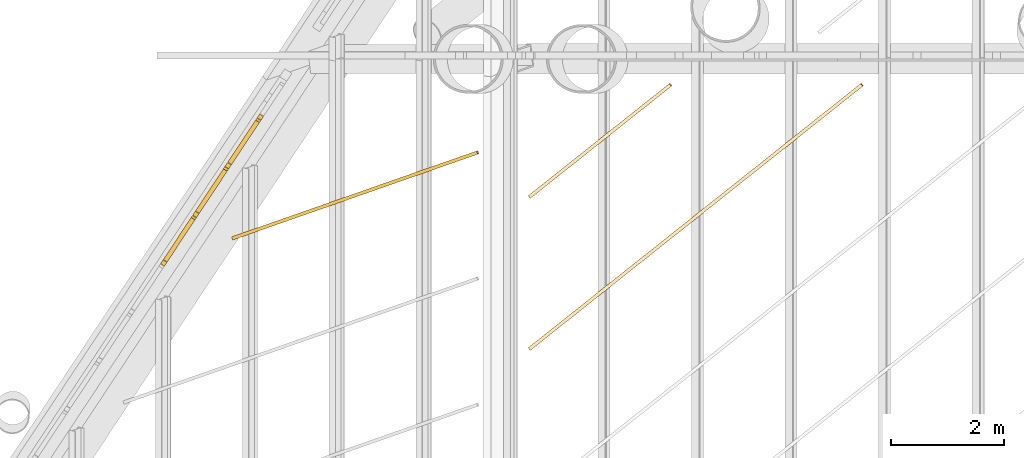
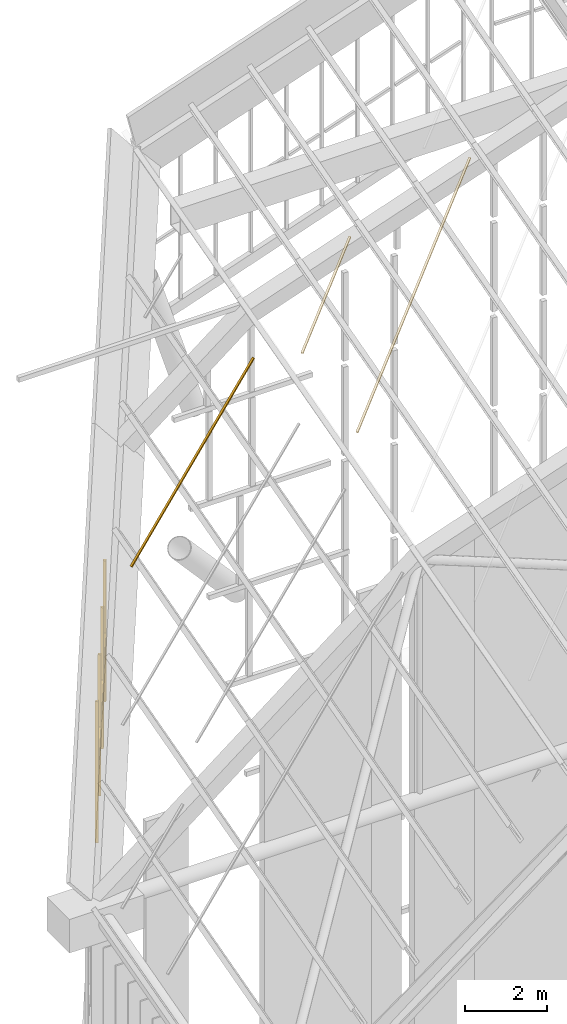
# One storey, part 112 of 126: 10 coverings.
"""IFC4 building model written with IfcOpenShell, lengths in metres."""

import ifcopenshell
import ifcopenshell.guid

model = None  # the IFC model being written
_history = None  # IfcOwnerHistory: only IFC2X3 demands one
_inside = {}  # id of a spatial element -> (the spatial element, [elements in it])
_under = {}  # id of a project, library or spatial element -> (it, [spatial elements below it])
_declared = {}  # id of a project -> (the project, [libraries it declares])
_typed = {}  # id of a type object -> (the type object, [elements of that type])
_made_of = {}  # id of a material, layer set ... -> (it, [elements and type objects made of it])


def new_model(schema):
    """Start an empty IFC model of exactly this schema.

    Asked for "IFC4X3", IfcOpenShell would pick the latest addendum, in which some entities
    have other attributes; the version numbers below select the first issue.
    IFC2X3 requires an IfcOwnerHistory on every rooted entity: one is made here for all.
    """
    global model, _history
    if schema == "IFC4X3":
        model = ifcopenshell.file(schema_version=(4, 3, 0, 0))
    else:
        model = ifcopenshell.file(schema=schema)
    _inside.clear()
    _under.clear()
    _declared.clear()
    _typed.clear()
    _made_of.clear()
    _history = None
    if model.schema == "IFC2X3":
        org = make("IfcOrganization", Name="unknown")
        user = make(
            "IfcPersonAndOrganization",
            ThePerson=make("IfcPerson", FamilyName="unknown"),
            TheOrganization=org,
        )
        app = make(
            "IfcApplication",
            ApplicationDeveloper=org,
            Version="unknown",
            ApplicationFullName="unknown",
            ApplicationIdentifier="unknown",
        )
        _history = make(
            "IfcOwnerHistory",
            OwningUser=user,
            OwningApplication=app,
            ChangeAction="ADDED",
            CreationDate=0,
        )
    return model


def make(cls, **values):
    """One entity of the class cls with the attributes given. An attribute that is None is left unset."""
    return model.create_entity(
        cls, **{name: value for name, value in values.items() if value is not None}
    )


def rooted(cls, **values):
    """An entity with a GlobalId (a new one), such as an element, a storey or a relation."""
    return make(cls, GlobalId=ifcopenshell.guid.new(), OwnerHistory=_history, **values)


def si_unit(unit_type, name, prefix=None):
    """IfcSIUnit, for example si_unit("LENGTHUNIT", "METRE", prefix="MILLI")."""
    return make("IfcSIUnit", UnitType=unit_type, Prefix=prefix, Name=name)


def assignment(units):
    """IfcUnitAssignment: the units of a project."""
    return None if units is None else make("IfcUnitAssignment", Units=units)


def point(xyz):
    """IfcCartesianPoint."""
    return None if xyz is None else make("IfcCartesianPoint", Coordinates=xyz)


def direction(xyz):
    """IfcDirection."""
    return None if xyz is None else make("IfcDirection", DirectionRatios=xyz)


def frame(location, z_axis=None, x_axis=None):
    """IfcAxis2Placement3D, a coordinate frame: its origin and axes. An axis left out is left unset."""
    return make(
        "IfcAxis2Placement3D",
        Location=point(location),
        Axis=direction(z_axis),
        RefDirection=direction(x_axis),
    )


def frame_2d(location, x_axis=None):
    """IfcAxis2Placement2D, a coordinate frame in the plane: its origin and x axis."""
    return make(
        "IfcAxis2Placement2D", Location=point(location), RefDirection=direction(x_axis)
    )


def origin():
    """The frame at (0, 0, 0) with its axes left unset."""
    return frame((0.0, 0.0, 0.0))


def origin_2d():
    """The frame at (0, 0) in the plane with its x axis left unset."""
    return frame_2d((0.0, 0.0))


def place(relative_to, where):
    """IfcLocalPlacement: puts the frame where relative to a parent placement (None: the world)."""
    return make(
        "IfcLocalPlacement", PlacementRelTo=relative_to, RelativePlacement=where
    )


def context(
    kind, dimensions, precision=None, world=None, true_north=None, identifier=None
):
    """IfcGeometricRepresentationContext, for example the 3D "Model" context."""
    return make(
        "IfcGeometricRepresentationContext",
        ContextIdentifier=identifier,
        ContextType=kind,
        CoordinateSpaceDimension=dimensions,
        Precision=precision,
        WorldCoordinateSystem=world,
        TrueNorth=true_north,
    )


def subcontext(parent, identifier, kind, view, scale=None):
    """IfcGeometricRepresentationSubContext, for example "Body" below "Model"."""
    return make(
        "IfcGeometricRepresentationSubContext",
        ContextIdentifier=identifier,
        ContextType=kind,
        ParentContext=parent,
        TargetScale=scale,
        TargetView=view,
    )


def project(units=None, contexts=None):
    """IfcProject with its units and contexts."""
    return rooted(
        "IfcProject",
        Name="project",
        RepresentationContexts=contexts,
        UnitsInContext=assignment(units),
    )


def spatial(cls, under=None, at=None, **own):
    """A site, building, storey or space (cls), placed at a placement, below another one or the project."""
    s = rooted(cls, ObjectPlacement=at, **own)
    if under is not None:
        _under.setdefault(under.id(), (under, []))[1].append(s)
    return s


def polyline(points):
    """IfcPolyline through the points."""
    return make("IfcPolyline", Points=[point(p) for p in points])


def profile(cls, at=None, kind="AREA", **sizes):
    """A parametric profile (cls). Its sizes go by their IFC names, for example OverallWidth=200.0."""
    return make(cls, ProfileType=kind, Position=at, **sizes)


def rectangle(**sizes):
    """IfcRectangleProfileDef."""
    return profile("IfcRectangleProfileDef", **sizes)


def outline(outer, holes=None, kind="AREA"):
    """IfcArbitraryClosedProfileDef: a profile drawn as a closed curve; with holes, ...WithVoids."""
    if holes is None:
        return make("IfcArbitraryClosedProfileDef", ProfileType=kind, OuterCurve=outer)
    return make(
        "IfcArbitraryProfileDefWithVoids",
        ProfileType=kind,
        OuterCurve=outer,
        InnerCurves=holes,
    )


def extrude(swept, where, along, depth):
    """IfcExtrudedAreaSolid: the profile swept, set in the frame where, extruded along a direction by depth."""
    return make(
        "IfcExtrudedAreaSolid",
        SweptArea=swept,
        Position=where,
        ExtrudedDirection=direction(along),
        Depth=depth,
    )


def shape(context_of_items, identifier, shape_type, items):
    """IfcShapeRepresentation: the items that make up one representation, for example the "Body"."""
    return make(
        "IfcShapeRepresentation",
        ContextOfItems=context_of_items,
        RepresentationIdentifier=identifier,
        RepresentationType=shape_type,
        Items=items,
    )


def material(Name=None, Category=None):
    """IfcMaterial."""
    return make("IfcMaterial", Name=Name, Category=Category)


def layer(
    of_material, thickness, ventilated=None, Name=None, Category=None, Priority=None
):
    """IfcMaterialLayer: one layer of a wall or slab, of a material (None: an air gap)."""
    return make(
        "IfcMaterialLayer",
        Material=of_material,
        LayerThickness=thickness,
        IsVentilated=ventilated,
        Name=Name,
        Category=Category,
        Priority=Priority,
    )


def layer_set(layers, Name=None):
    """IfcMaterialLayerSet."""
    return make("IfcMaterialLayerSet", MaterialLayers=layers, LayerSetName=Name)


def material_profile(
    of_material, cross_section, Name=None, Category=None, Priority=None
):
    """IfcMaterialProfile: a cross section and its material."""
    return make(
        "IfcMaterialProfile",
        Name=Name,
        Material=of_material,
        Profile=cross_section,
        Priority=Priority,
        Category=Category,
    )


def profile_set(profiles, Name=None, composite=None):
    """IfcMaterialProfileSet."""
    return make(
        "IfcMaterialProfileSet",
        Name=Name,
        MaterialProfiles=profiles,
        CompositeProfile=composite,
    )


def made_of(thing, what):
    """Note that an element or type object is made of a material, layer set ...; save() writes the relation."""
    if what is not None:
        _made_of.setdefault(what.id(), (what, []))[1].append(thing)
    return thing


def type_object(cls, material=None, **own):
    """A type object (cls), such as IfcWallType, which elements share."""
    return made_of(rooted(cls, **own), material)


def element(
    cls,
    number,
    at=None,
    inside=None,
    cuts=None,
    type_object=None,
    material=None,
    context=None,
    identifier="Body",
    shape_type=None,
    held_by="IfcProductDefinitionShape",
    body=None,
    shapes=None,
    **own,
):
    """One element of the class cls, such as IfcWall. Its Tag is "e" and its number.

    at: its placement. inside: the storey or other place that contains it. cuts: it is an
    opening in that element (IfcRelVoidsElement). A single representation is given by context,
    identifier, shape_type and body (its items); several are given by shapes. held_by: the class
    of the entity that holds the representations. save() writes the other relations.
    """
    e = rooted(cls, Tag="e%d" % number, ObjectPlacement=at, **own)
    if body is not None:
        shapes = [shape(context, identifier, shape_type, body)]
    if shapes is not None:
        e.Representation = make(held_by, Representations=shapes)
    if inside is not None:
        _inside.setdefault(inside.id(), (inside, []))[1].append(e)
    if cuts is not None:
        rooted(
            "IfcRelVoidsElement", RelatingBuildingElement=cuts, RelatedOpeningElement=e
        )
    if type_object is not None:
        _typed.setdefault(type_object.id(), (type_object, []))[1].append(e)
    return made_of(e, material)


def aggregate(whole, parts):
    """IfcRelAggregates: a whole, such as a stair, and the parts it consists of."""
    return rooted("IfcRelAggregates", RelatingObject=whole, RelatedObjects=parts)


def save(model, path):
    """Write the relations noted so far, then the file.

    IfcRelAggregates (storeys below a building ...), IfcRelContainedInSpatialStructure (elements
    in a storey), IfcRelDefinesByType, IfcRelAssociatesMaterial and IfcRelDeclares: one each for
    every whole, place, type object, material and project.
    """
    for whole, parts in _under.values():
        aggregate(whole, parts)
    for where, things in _inside.values():
        rooted(
            "IfcRelContainedInSpatialStructure",
            RelatedElements=things,
            RelatingStructure=where,
        )
    for kind, things in _typed.values():
        rooted("IfcRelDefinesByType", RelatedObjects=things, RelatingType=kind)
    for what, things in _made_of.values():
        rooted("IfcRelAssociatesMaterial", RelatedObjects=things, RelatingMaterial=what)
    for by, libraries in _declared.values():
        rooted("IfcRelDeclares", RelatingContext=by, RelatedDefinitions=libraries)
    model.write(path)


model = new_model("IFC4")

# Units and contexts
model_context = context("Model", 3, precision=1e-05, world=origin(), true_north=direction((0.0, 1.0)))
body_context = subcontext(model_context, "Body", "Model", "MODEL_VIEW")
ifc_project = project(units=[si_unit("LENGTHUNIT", "METRE"), si_unit("AREAUNIT", "SQUARE_METRE"), si_unit("VOLUMEUNIT", "CUBIC_METRE"), si_unit("PLANEANGLEUNIT", "RADIAN"), si_unit("MASSUNIT", "GRAM", prefix="KILO")], contexts=[model_context])

# Site, building, storey
site_placement = place(None, origin())
site = spatial("IfcSite", under=ifc_project, at=site_placement, CompositionType="ELEMENT")
building_placement = place(site_placement, origin())
building = spatial("IfcBuilding", under=site, at=building_placement, Name="Sava Quay Ferry Terminal", CompositionType="ELEMENT")
storey_placement = place(building_placement, frame((0.0, 0.0, 15.0)))
storey = spatial("IfcBuildingStorey", under=building, at=storey_placement, Name="L03", CompositionType="ELEMENT", Elevation=15.0)

# Coverings
ifc_material_1 = material(Name="Zinc standing seam sheet")
ifc_material_profile = material_profile(ifc_material_1, rectangle(XDim=0.080078125, YDim=0.080078125, at=origin_2d()), Name="Strip 80 x 80")
ifc_profile_set = profile_set([ifc_material_profile], Name="Zinc standing seam sheet")
covering_type_1 = type_object("IfcCoveringType", Name="Prow apron seam rib 80 x 80", PredefinedType="CLADDING", material=ifc_profile_set)
covering_1_placement = place(storey_placement, frame((46.513916015625, 108.175537109375, 15.682861328125), z_axis=(0.0, 0.0, 1.0), x_axis=(0.55177120658, 0.833995524922, 0.0)))
element("IfcCovering", 1, at=covering_1_placement, inside=storey, type_object=covering_type_1, Name="Prow apron seam rib", PredefinedType="CLADDING", context=body_context, shape_type="SweptSolid", body=[
    extrude(rectangle(XDim=0.080078125, YDim=0.080078125, at=origin_2d()), origin(), (0.0, 0.0, 1.0), 4.201171875),
])
for number, where, z_axis, x_axis, name in (
    (2, (45.945556640625, 107.31640625, 15.003662109375), (0.0, 0.0, 1.0), (0.55177120658, 0.833995524922, 0.0), "Prow apron seam rib"),
    (3, (45.376953125, 106.45703125, 14.324462890625), (0.0, 0.0, 1.0), (0.55177120658, 0.833995524922, 0.0), "Prow apron seam rib"),
    (4, (44.80859375, 105.597900390625, 13.645263671875), (0.0, 0.0, 1.0), (0.55177120658, 0.833995524922, 0.0), "Prow apron seam rib"),
):
    element("IfcCovering", number, at=place(storey_placement, frame(where, z_axis=z_axis, x_axis=x_axis)), inside=storey, type_object=covering_type_1, Name=name, PredefinedType="CLADDING", context=body_context, shape_type="SweptSolid", body=[
        extrude(rectangle(XDim=0.080078125, YDim=0.080078125, at=origin_2d()), origin(), (0.0, 0.0, 1.0), 4.201416015625),
    ])
for number, where, z_axis, x_axis, name in (
    (5, (46.475341796875, 108.1171875, 17.7373046875), (-0.460675627767, -0.696279614333, -0.550429527411), (-0.303719065203, -0.459050535429, 0.834881629546), "Prow apron cross seam"),
    (6, (45.906982421875, 107.2578125, 17.05810546875), (-0.460675627767, -0.696279614333, -0.550429527411), (-0.303719065203, -0.459050535429, 0.834881629546), "Prow apron cross seam"),
    (7, (45.33837890625, 106.398681640625, 16.37890625), (-0.460675627767, -0.696279614333, -0.550429527411), (-0.303719065203, -0.459050535429, 0.834881629546), "Prow apron cross seam"),
):
    element("IfcCovering", number, at=place(storey_placement, frame(where, z_axis=z_axis, x_axis=x_axis)), inside=storey, type_object=covering_type_1, Name=name, PredefinedType="CLADDING", context=body_context, shape_type="SweptSolid", body=[
        extrude(rectangle(XDim=0.080078125, YDim=0.080078125, at=origin_2d()), origin(), (0.0, 0.0, 1.0), 1.066162109375),
    ])
ifc_material_2 = material(Name="Zinc standing seam")
ifc_layer = layer(ifc_material_2, 0.0400390625)
ifc_layer_set = layer_set([ifc_layer], Name="Zinc standing seam")
covering_type_2 = type_object("IfcCoveringType", Name="Roof seam rib 60", PredefinedType="ROOFING", material=ifc_layer_set)
covering_2_placement = place(storey_placement, frame((46.00341796875, 106.060546875, 21.16552734375), z_axis=(-0.602029406886, -0.210191301542, 0.770311761562), x_axis=(0.727021160758, 0.254599009777, 0.637667292584)))
element("IfcCovering", 8, at=covering_2_placement, inside=storey, type_object=covering_type_2, Name="Roof seam rib", PredefinedType="ROOFING", context=body_context, shape_type="SweptSolid", body=[
    extrude(outline(polyline([(0.0, 0.0), (5.948193978449488, 2.211772431870429e-17), (5.948150458857963, -0.05999353782539527), (-4.351959152599713e-05, -0.05999353782539513), (0.0, 0.0)])), origin(), (0.0, 0.0, -1.0), 0.0400390625),
])
covering_3_placement = place(storey_placement, frame((51.236572265625, 104.102294921875, 24.517578125), z_axis=(-0.315223218272, -0.250372608263, 0.915394930996), x_axis=(0.716719826322, 0.56943882296, 0.402556974182)))
element("IfcCovering", 9, at=covering_3_placement, inside=storey, type_object=covering_type_2, Name="Roof seam rib", PredefinedType="ROOFING", context=body_context, shape_type="SweptSolid", body=[
    extrude(outline(polyline([(0.0, 0.0), (8.185501688234831, -1.1820514185523212e-16), (8.185581248639837, -0.059937825653131), (-9.542002134375893e-05, -0.05978595781825509), (0.0, 0.0)])), origin(), (0.0, 0.0, -1.0), 0.0400390625),
])
covering_4_placement = place(storey_placement, frame((51.236572265625, 106.784423828125, 25.251220703125), z_axis=(-0.31515429108, -0.250486267716, 0.915387569557), x_axis=(0.716698973598, 0.569453235185, 0.402573712729)))
element("IfcCovering", 10, at=covering_4_placement, inside=storey, type_object=covering_type_2, Name="Roof seam rib", PredefinedType="ROOFING", context=body_context, shape_type="SweptSolid", body=[
    extrude(outline(polyline([(0.0, 0.0), (3.475317578298305, -4.708147934018303e-17), (3.4755706595430556, -0.06008971434498838), (-0.00023589609469778366, -0.059977094951716756), (0.0, 0.0)])), origin(), (0.0, 0.0, -1.0), 0.0400390625),
])

save(model, "model.ifc")
